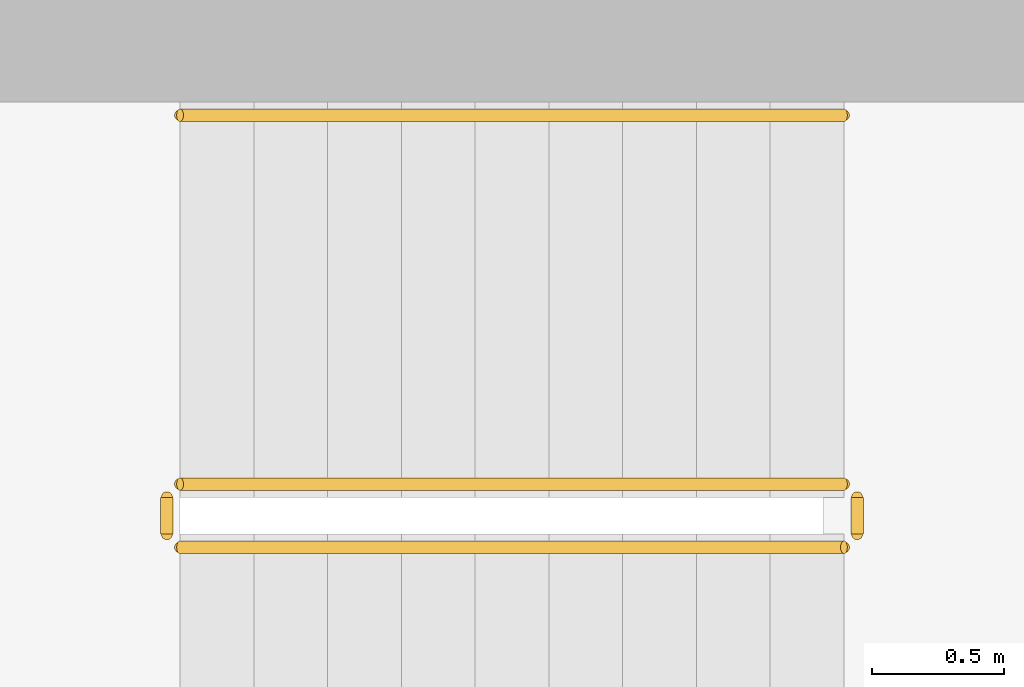
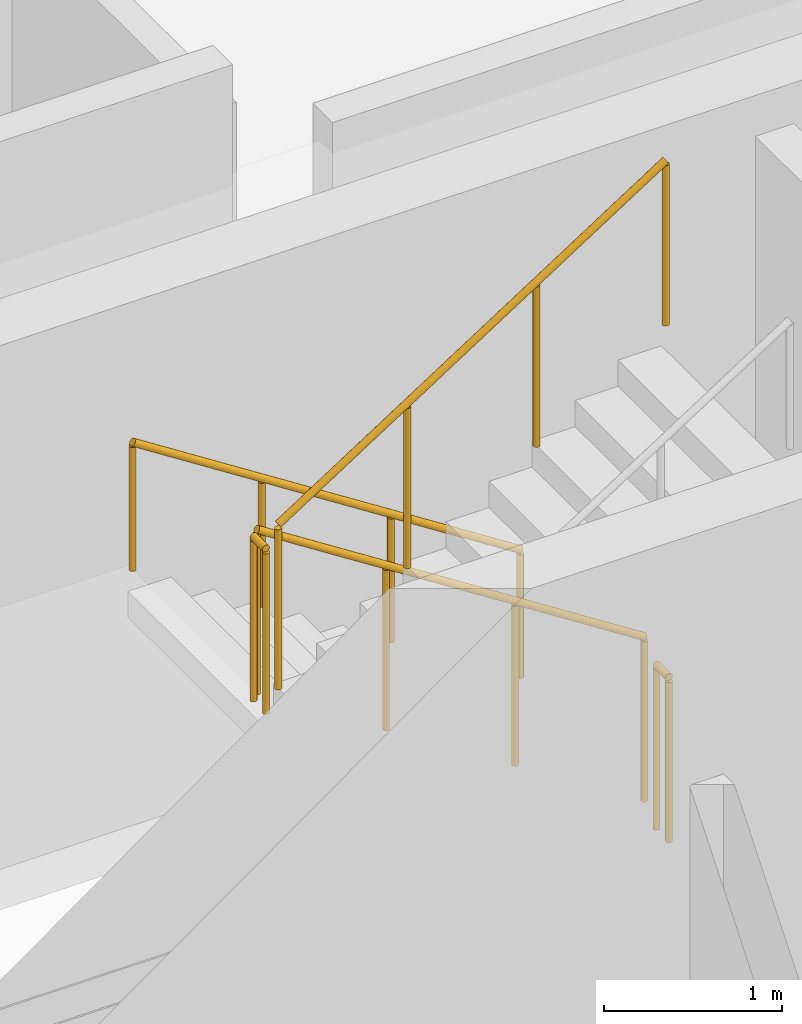
# One storey, part 13 of 14: 5 railings.
"""IFC4 building model written with IfcOpenShell, lengths in metres."""

from ifc_helpers import new_model, si_unit, derived_unit, direction, frame, origin, origin_2d, place, context, subcontext, project, spatial, circle, extrude, material, type_object, element, save


model = new_model("IFC4")

# Units and contexts
model_context = context("Model", 3, precision=1e-05, world=origin(), true_north=direction((0.0, 1.0)))
body_context = subcontext(model_context, "Body", "Model", "MODEL_VIEW")
ifc_project = project(units=[si_unit("LENGTHUNIT", "METRE"), si_unit("AREAUNIT", "SQUARE_METRE"), si_unit("VOLUMEUNIT", "CUBIC_METRE"), si_unit("PLANEANGLEUNIT", "RADIAN"), si_unit("MASSUNIT", "GRAM", prefix="KILO"), derived_unit("THERMALTRANSMITTANCEUNIT", [(si_unit("POWERUNIT", "WATT"), 1), (si_unit("LENGTHUNIT", "METRE"), -2), (si_unit("THERMODYNAMICTEMPERATUREUNIT", "KELVIN"), -1)])], contexts=[model_context])

# Site, building, storey
site_placement = place(None, origin())
site = spatial("IfcSite", under=ifc_project, at=site_placement, CompositionType="ELEMENT")
building_placement = place(site_placement, origin())
building = spatial("IfcBuilding", under=site, at=building_placement, Name="Kivonza Crest Hotel", CompositionType="ELEMENT")
storey_placement = place(building_placement, frame((0.0, 0.0, 213.5)))
storey = spatial("IfcBuildingStorey", under=building, at=storey_placement, Name="L58", CompositionType="ELEMENT", Elevation=213.5)

# Railings
ifc_material_1 = material(Name="Brushed stainless steel handrail", Category="steel")
railing_type_1 = type_object("IfcRailingType", Name="RL-HAND-900", PredefinedType="HANDRAIL", material=ifc_material_1)
railing_1_placement = place(storey_placement, frame((12.239990234375, 36.110107421875, 0.179931640625)))
element("IfcRailing", 1, at=railing_1_placement, inside=storey, type_object=railing_type_1, Name="L58 ST-T1-N stair handrail 1", PredefinedType="HANDRAIL", context=body_context, shape_type="SweptSolid", body=[
    extrude(circle(Radius=0.02392578125, at=origin_2d()), frame((0.0, 0.0, 0.8759765625), z_axis=(-0.841162588446, 0.0, 0.540782303519), x_axis=(0.0, -1.0, 0.0)), (0.0, 0.0, 1.0), 2.995849609375),
    extrude(circle(Radius=0.02099609375, at=origin_2d()), origin(), (0.0, 0.0, 1.0), 0.851806640625),
    extrude(circle(Radius=0.02099609375, at=origin_2d()), frame((-0.840087890625, 0.0, 0.5400390625)), (0.0, 0.0, 1.0), 0.851806640625),
    extrude(circle(Radius=0.02099609375, at=origin_2d()), frame((-1.679931640625, 0.0, 1.080078125)), (0.0, 0.0, 1.0), 0.851806640625),
    extrude(circle(Radius=0.02099609375, at=origin_2d()), frame((-2.52001953125, 0.0, 1.6201171875)), (0.0, 0.0, 1.0), 0.851806640625),
])
ifc_material_2 = material(Name="Painted steel balustrade", Category="steel")
railing_type_2 = type_object("IfcRailingType", Name="RL-STAIR-1150", PredefinedType="BALUSTRADE", material=ifc_material_2)
railing_2_placement = place(storey_placement, frame((12.239990234375, 34.7099609375, 0.179931640625)))
element("IfcRailing", 2, at=railing_2_placement, inside=storey, type_object=railing_type_2, Name="L58 ST-T1-N stair guard 1", PredefinedType="BALUSTRADE", context=body_context, shape_type="SweptSolid", body=[
    extrude(circle(Radius=0.02392578125, at=origin_2d()), frame((0.0, 0.0, 1.1259765625), z_axis=(-0.841162588446, 0.0, 0.540782303519), x_axis=(0.0, -1.0, 0.0)), (0.0, 0.0, 1.0), 2.995849609375),
    extrude(circle(Radius=0.02099609375, at=origin_2d()), origin(), (0.0, 0.0, 1.0), 1.101806640625),
    extrude(circle(Radius=0.02099609375, at=origin_2d()), frame((-0.840087890625, 0.0, 0.5400390625)), (0.0, 0.0, 1.0), 1.101806640625),
    extrude(circle(Radius=0.02099609375, at=origin_2d()), frame((-1.679931640625, 0.0, 1.080078125)), (0.0, 0.0, 1.0), 1.101806640625),
    extrude(circle(Radius=0.02099609375, at=origin_2d()), frame((-2.52001953125, 0.0, 1.6201171875)), (0.0, 0.0, 1.0), 1.101806640625),
])
railing_3_placement = place(storey_placement, frame((9.669921875, 34.659912109375, 1.800048828125)))
element("IfcRailing", 3, at=railing_3_placement, inside=storey, type_object=railing_type_2, Name="L58 ST-T1-N stair guard 2", PredefinedType="BALUSTRADE", context=body_context, shape_type="SweptSolid", body=[
    extrude(circle(Radius=0.02392578125, at=origin_2d()), frame((0.0, 0.0, 1.1259765625), z_axis=(0.0, -1.0, 0.0), x_axis=(1.0, 0.0, 0.0)), (0.0, 0.0, 1.0), 0.139892578125),
    extrude(circle(Radius=0.02099609375, at=origin_2d()), origin(), (0.0, 0.0, 1.0), 1.101806640625),
    extrude(circle(Radius=0.02099609375, at=origin_2d()), frame((0.0, -0.139892578125, 0.0)), (0.0, 0.0, 1.0), 1.101806640625),
])
railing_4_placement = place(storey_placement, frame((9.719970703125, 34.469970703125, 1.97998046875)))
element("IfcRailing", 4, at=railing_4_placement, inside=storey, type_object=railing_type_2, Name="L58 ST-T1-N stair guard 3", PredefinedType="BALUSTRADE", context=body_context, shape_type="SweptSolid", body=[
    extrude(circle(Radius=0.02392578125, at=origin_2d()), frame((0.0, 0.0, 1.1259765625), z_axis=(0.841162588446, 0.0, 0.540782303519), x_axis=(0.0, 1.0, 0.0)), (0.0, 0.0, 1.0), 2.995849609375),
    extrude(circle(Radius=0.02099609375, at=origin_2d()), origin(), (0.0, 0.0, 1.0), 1.101806640625),
    extrude(circle(Radius=0.02099609375, at=origin_2d()), frame((0.840087890625, 0.0, 0.5400390625)), (0.0, 0.0, 1.0), 1.101806640625),
    extrude(circle(Radius=0.02099609375, at=origin_2d()), frame((1.679931640625, 0.0, 1.080078125)), (0.0, 0.0, 1.0), 1.101806640625),
    extrude(circle(Radius=0.02099609375, at=origin_2d()), frame((2.52001953125, 0.0, 1.6201171875)), (0.0, 0.0, 1.0), 1.101806640625),
])
railing_5_placement = place(storey_placement, frame((12.2900390625, 34.659912109375, 0.0)))
element("IfcRailing", 5, at=railing_5_placement, inside=storey, type_object=railing_type_2, Name="L58 ST-T1-N stair guard 4", PredefinedType="BALUSTRADE", context=body_context, shape_type="SweptSolid", body=[
    extrude(circle(Radius=0.02392578125, at=origin_2d()), frame((0.0, 0.0, 1.1259765625), z_axis=(0.0, -1.0, 0.0), x_axis=(1.0, 0.0, 0.0)), (0.0, 0.0, 1.0), 0.139892578125),
    extrude(circle(Radius=0.02099609375, at=origin_2d()), origin(), (0.0, 0.0, 1.0), 1.101806640625),
    extrude(circle(Radius=0.02099609375, at=origin_2d()), frame((0.0, -0.139892578125, 0.0)), (0.0, 0.0, 1.0), 1.101806640625),
])

save(model, "model.ifc")
